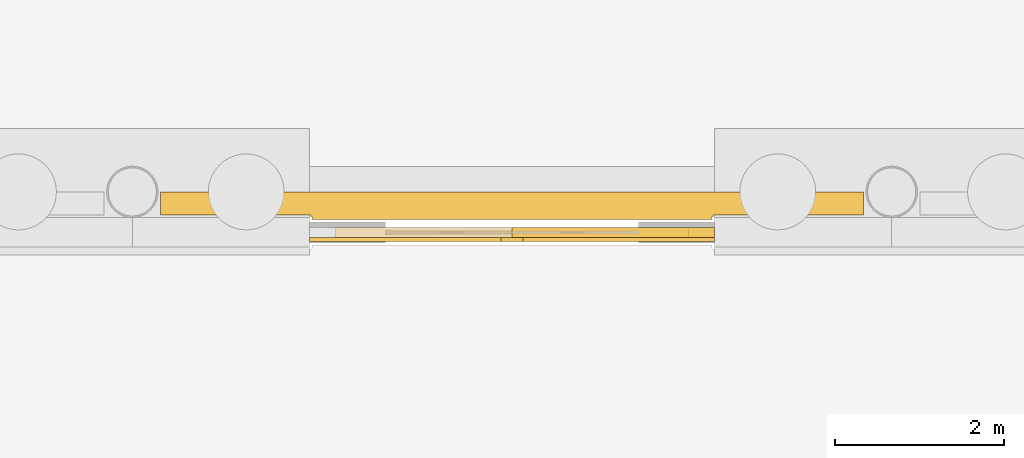
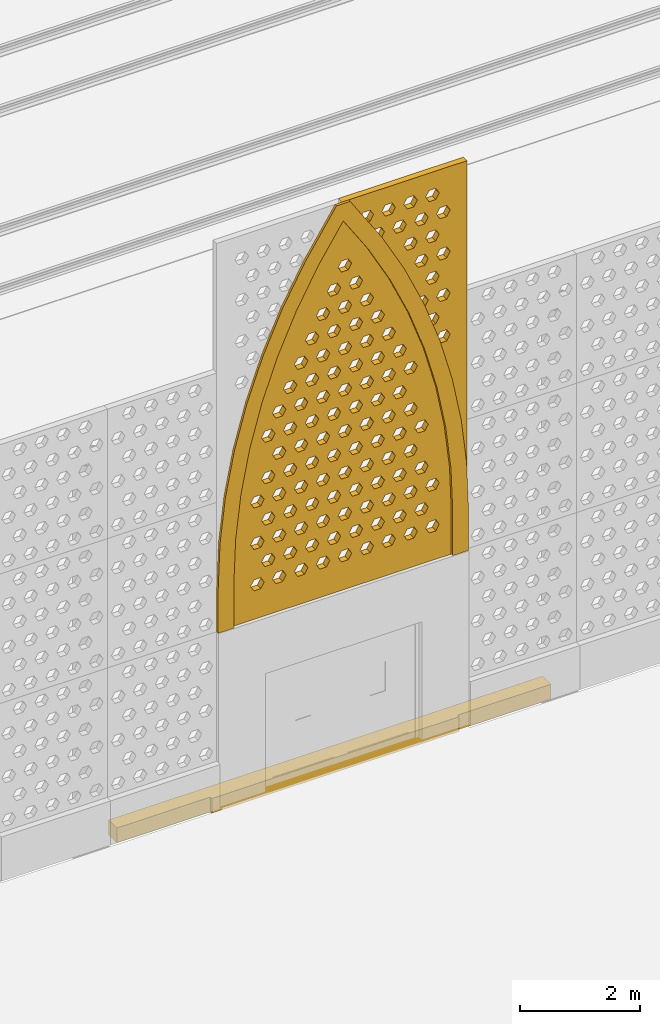
# One storey, part 195 of 250: 2 coverings, 2 shading devices.
"""IFC4 building model written with IfcOpenShell, lengths in metres."""

from ifc_helpers import new_model, si_unit, direction, frame, origin, place, context, subcontext, project, spatial, polyline, outline, extrude, material, layer, layer_set, type_object, element, save


model = new_model("IFC4")

# Units and contexts
model_context = context("Model", 3, precision=1e-05, world=origin(), true_north=direction((0.0, 1.0)))
body_context = subcontext(model_context, "Body", "Model", "MODEL_VIEW")
ifc_project = project(units=[si_unit("LENGTHUNIT", "METRE"), si_unit("AREAUNIT", "SQUARE_METRE"), si_unit("VOLUMEUNIT", "CUBIC_METRE"), si_unit("PLANEANGLEUNIT", "RADIAN"), si_unit("MASSUNIT", "GRAM", prefix="KILO")], contexts=[model_context])

# Site, building, storey
site_placement = place(None, origin())
site = spatial("IfcSite", under=ifc_project, at=site_placement, CompositionType="ELEMENT")
building_placement = place(site_placement, origin())
building = spatial("IfcBuilding", under=site, at=building_placement, Name="Baradari Gate Terminus", CompositionType="ELEMENT")
storey_placement = place(building_placement, origin())
storey = spatial("IfcBuildingStorey", under=building, at=storey_placement, Name="L00", CompositionType="ELEMENT", Elevation=0.0)

# Covering
ifc_material_1 = material(Name="Laterite masonry", Category="masonry")
ifc_layer_1 = layer(ifc_material_1, 0.050048828125)
ifc_layer_set_1 = layer_set([ifc_layer_1], Name="Laterite masonry")
covering_type_1 = type_object("IfcCoveringType", Name="Arch ring RG-1 50", PredefinedType="CLADDING", material=ifc_layer_set_1)
covering_1_placement = place(storey_placement, frame((182.10009765625, 35.43505859375, 3.52490234375), z_axis=(0.0, 0.0, 1.0), x_axis=(1.0, 0.0, 0.0)))
element("IfcCovering", 1, at=covering_1_placement, inside=storey, type_object=covering_type_1, Name="Arch ring RG-1 SC03b", PredefinedType="CLADDING", context=body_context, shape_type="SweptSolid", body=[
    extrude(outline(polyline([(0.034423828125, 1.8046875), (0.0, 0.90576171875), (0.0, 0.0), (0.300048828125, 0.0), (0.300048828125, 0.900146484375), (0.333740234375, 1.78173828125), (0.435302734375, 2.658203125), (0.603515625, 3.5244140625), (0.837646484375, 4.375), (1.13623046875, 5.205322265625), (1.49755859375, 6.01025390625), (1.919677734375, 6.784912109375), (2.39990234375, 7.525146484375), (2.880126953125, 6.784912109375), (3.30224609375, 6.01025390625), (3.663818359375, 5.205322265625), (3.96240234375, 4.375), (4.196533203125, 3.5244140625), (4.36474609375, 2.658203125), (4.466064453125, 1.78173828125), (4.5, 0.900146484375), (4.5, 0.0), (4.800048828125, 0.0), (4.800048828125, 0.90576171875), (4.765380859375, 1.8046875), (4.66162109375, 2.7041015625), (4.48876953125, 3.5927734375), (4.24853515625, 4.4658203125), (3.942138671875, 5.317626953125), (3.5712890625, 6.1435546875), (3.13818359375, 6.9384765625), (2.530517578125, 7.875), (2.26953125, 7.875), (1.661865234375, 6.9384765625), (1.228759765625, 6.1435546875), (0.85791015625, 5.317626953125), (0.55126953125, 4.4658203125), (0.31103515625, 3.5927734375), (0.138427734375, 2.7041015625), (0.034423828125, 1.8046875)])), frame((0.0, 0.02490234375, 0.0), z_axis=(0.0, -1.0, 0.0), x_axis=(1.0, 0.0, 0.0)), (0.0, 0.0, 1.0), 0.050048828125),
])

# Shading devices
ifc_material_2 = material(Name="Concrete C50/60 precast", Category="concrete")
ifc_layer_2 = layer(ifc_material_2, 0.1201171875)
ifc_layer_set_2 = layer_set([ifc_layer_2], Name="Concrete C50/60 precast")
shading_device_type = type_object("IfcShadingDeviceType", Name="Jali screen panel JS-2 120", PredefinedType="SHUTTER", material=ifc_layer_set_2)
shading_device_1_placement = place(storey_placement, frame((182.39990234375, 35.52001953125, 3.52490234375), z_axis=(0.0, 0.0, 1.0), x_axis=(1.0, 0.0, 0.0)))
element("IfcShadingDevice", 2, at=shading_device_1_placement, inside=storey, type_object=shading_device_type, Name="Jali screen panel JS-2 SC03b arch A", PredefinedType="SHUTTER", context=body_context, shape_type="SweptSolid", body=[
    extrude(outline(polyline([(0.0, 0.900146484375), (0.0, 0.0), (4.199951171875, 0.0), (4.199951171875, 0.900146484375), (4.166259765625, 1.78173828125), (4.064697265625, 2.658203125), (3.896484375, 3.5244140625), (3.662353515625, 4.375), (3.36376953125, 5.205322265625), (3.00244140625, 6.01025390625), (2.580322265625, 6.784912109375), (2.10009765625, 7.525146484375), (1.619873046875, 6.784912109375), (1.19775390625, 6.01025390625), (0.836181640625, 5.205322265625), (0.53759765625, 4.375), (0.303466796875, 3.5244140625), (0.13525390625, 2.658203125), (0.033935546875, 1.78173828125), (0.0, 0.900146484375)]), holes=[polyline([(0.610107421875, 0.690185546875), (0.544921875, 0.57763671875), (0.4150390625, 0.57763671875), (0.35009765625, 0.690185546875), (0.4150390625, 0.802734375), (0.544921875, 0.802734375), (0.610107421875, 0.690185546875)]), polyline([(1.030029296875, 0.690185546875), (0.965087890625, 0.57763671875), (0.8349609375, 0.57763671875), (0.77001953125, 0.690185546875), (0.8349609375, 0.802734375), (0.965087890625, 0.802734375), (1.030029296875, 0.690185546875)]), polyline([(1.449951171875, 0.690185546875), (1.385009765625, 0.57763671875), (1.2548828125, 0.57763671875), (1.18994140625, 0.690185546875), (1.2548828125, 0.802734375), (1.385009765625, 0.802734375), (1.449951171875, 0.690185546875)]), polyline([(1.8701171875, 0.690185546875), (1.804931640625, 0.57763671875), (1.675048828125, 0.57763671875), (1.610107421875, 0.690185546875), (1.675048828125, 0.802734375), (1.804931640625, 0.802734375), (1.8701171875, 0.690185546875)]), polyline([(2.2900390625, 0.690185546875), (2.22509765625, 0.57763671875), (2.094970703125, 0.57763671875), (2.030029296875, 0.690185546875), (2.094970703125, 0.802734375), (2.22509765625, 0.802734375), (2.2900390625, 0.690185546875)]), polyline([(2.7099609375, 0.690185546875), (2.64501953125, 0.57763671875), (2.514892578125, 0.57763671875), (2.449951171875, 0.690185546875), (2.514892578125, 0.802734375), (2.64501953125, 0.802734375), (2.7099609375, 0.690185546875)]), polyline([(3.1298828125, 0.690185546875), (3.06494140625, 0.57763671875), (2.93505859375, 0.57763671875), (2.8701171875, 0.690185546875), (2.93505859375, 0.802734375), (3.06494140625, 0.802734375), (3.1298828125, 0.690185546875)]), polyline([(3.550048828125, 0.690185546875), (3.485107421875, 0.57763671875), (3.35498046875, 0.57763671875), (3.2900390625, 0.690185546875), (3.35498046875, 0.802734375), (3.485107421875, 0.802734375), (3.550048828125, 0.690185546875)]), polyline([(3.969970703125, 0.690185546875), (3.905029296875, 0.57763671875), (3.77490234375, 0.57763671875), (3.7099609375, 0.690185546875), (3.77490234375, 0.802734375), (3.905029296875, 0.802734375), (3.969970703125, 0.690185546875)]), polyline([(0.820068359375, 1.110107421875), (0.7548828125, 0.99755859375), (0.625, 0.99755859375), (0.56005859375, 1.110107421875), (0.625, 1.22265625), (0.7548828125, 1.22265625), (0.820068359375, 1.110107421875)]), polyline([(1.239990234375, 1.110107421875), (1.175048828125, 0.99755859375), (1.044921875, 0.99755859375), (0.97998046875, 1.110107421875), (1.044921875, 1.22265625), (1.175048828125, 1.22265625), (1.239990234375, 1.110107421875)]), polyline([(1.659912109375, 1.110107421875), (1.594970703125, 0.99755859375), (1.465087890625, 0.99755859375), (1.39990234375, 1.110107421875), (1.465087890625, 1.22265625), (1.594970703125, 1.22265625), (1.659912109375, 1.110107421875)]), polyline([(2.080078125, 1.110107421875), (2.014892578125, 0.99755859375), (1.885009765625, 0.99755859375), (1.820068359375, 1.110107421875), (1.885009765625, 1.22265625), (2.014892578125, 1.22265625), (2.080078125, 1.110107421875)]), polyline([(2.5, 1.110107421875), (2.43505859375, 0.99755859375), (2.304931640625, 0.99755859375), (2.239990234375, 1.110107421875), (2.304931640625, 1.22265625), (2.43505859375, 1.22265625), (2.5, 1.110107421875)]), polyline([(2.919921875, 1.110107421875), (2.85498046875, 0.99755859375), (2.72509765625, 0.99755859375), (2.659912109375, 1.110107421875), (2.72509765625, 1.22265625), (2.85498046875, 1.22265625), (2.919921875, 1.110107421875)]), polyline([(3.340087890625, 1.110107421875), (3.27490234375, 0.99755859375), (3.14501953125, 0.99755859375), (3.080078125, 1.110107421875), (3.14501953125, 1.22265625), (3.27490234375, 1.22265625), (3.340087890625, 1.110107421875)]), polyline([(3.760009765625, 1.110107421875), (3.695068359375, 0.99755859375), (3.56494140625, 0.99755859375), (3.5, 1.110107421875), (3.56494140625, 1.22265625), (3.695068359375, 1.22265625), (3.760009765625, 1.110107421875)]), polyline([(0.610107421875, 1.530029296875), (0.544921875, 1.41748046875), (0.4150390625, 1.41748046875), (0.35009765625, 1.530029296875), (0.4150390625, 1.642578125), (0.544921875, 1.642578125), (0.610107421875, 1.530029296875)]), polyline([(1.030029296875, 1.530029296875), (0.965087890625, 1.41748046875), (0.8349609375, 1.41748046875), (0.77001953125, 1.530029296875), (0.8349609375, 1.642578125), (0.965087890625, 1.642578125), (1.030029296875, 1.530029296875)]), polyline([(1.449951171875, 1.530029296875), (1.385009765625, 1.41748046875), (1.2548828125, 1.41748046875), (1.18994140625, 1.530029296875), (1.2548828125, 1.642578125), (1.385009765625, 1.642578125), (1.449951171875, 1.530029296875)]), polyline([(1.8701171875, 1.530029296875), (1.804931640625, 1.41748046875), (1.675048828125, 1.41748046875), (1.610107421875, 1.530029296875), (1.675048828125, 1.642578125), (1.804931640625, 1.642578125), (1.8701171875, 1.530029296875)]), polyline([(2.2900390625, 1.530029296875), (2.22509765625, 1.41748046875), (2.094970703125, 1.41748046875), (2.030029296875, 1.530029296875), (2.094970703125, 1.642578125), (2.22509765625, 1.642578125), (2.2900390625, 1.530029296875)]), polyline([(2.7099609375, 1.530029296875), (2.64501953125, 1.41748046875), (2.514892578125, 1.41748046875), (2.449951171875, 1.530029296875), (2.514892578125, 1.642578125), (2.64501953125, 1.642578125), (2.7099609375, 1.530029296875)]), polyline([(3.1298828125, 1.530029296875), (3.06494140625, 1.41748046875), (2.93505859375, 1.41748046875), (2.8701171875, 1.530029296875), (2.93505859375, 1.642578125), (3.06494140625, 1.642578125), (3.1298828125, 1.530029296875)]), polyline([(3.550048828125, 1.530029296875), (3.485107421875, 1.41748046875), (3.35498046875, 1.41748046875), (3.2900390625, 1.530029296875), (3.35498046875, 1.642578125), (3.485107421875, 1.642578125), (3.550048828125, 1.530029296875)]), polyline([(3.969970703125, 1.530029296875), (3.905029296875, 1.41748046875), (3.77490234375, 1.41748046875), (3.7099609375, 1.530029296875), (3.77490234375, 1.642578125), (3.905029296875, 1.642578125), (3.969970703125, 1.530029296875)]), polyline([(0.820068359375, 1.9501953125), (0.7548828125, 1.83740234375), (0.625, 1.83740234375), (0.56005859375, 1.9501953125), (0.625, 2.062744140625), (0.7548828125, 2.062744140625), (0.820068359375, 1.9501953125)]), polyline([(1.239990234375, 1.9501953125), (1.175048828125, 1.83740234375), (1.044921875, 1.83740234375), (0.97998046875, 1.9501953125), (1.044921875, 2.062744140625), (1.175048828125, 2.062744140625), (1.239990234375, 1.9501953125)]), polyline([(1.659912109375, 1.9501953125), (1.594970703125, 1.83740234375), (1.465087890625, 1.83740234375), (1.39990234375, 1.9501953125), (1.465087890625, 2.062744140625), (1.594970703125, 2.062744140625), (1.659912109375, 1.9501953125)]), polyline([(2.080078125, 1.9501953125), (2.014892578125, 1.83740234375), (1.885009765625, 1.83740234375), (1.820068359375, 1.9501953125), (1.885009765625, 2.062744140625), (2.014892578125, 2.062744140625), (2.080078125, 1.9501953125)]), polyline([(2.5, 1.9501953125), (2.43505859375, 1.83740234375), (2.304931640625, 1.83740234375), (2.239990234375, 1.9501953125), (2.304931640625, 2.062744140625), (2.43505859375, 2.062744140625), (2.5, 1.9501953125)]), polyline([(2.919921875, 1.9501953125), (2.85498046875, 1.83740234375), (2.72509765625, 1.83740234375), (2.659912109375, 1.9501953125), (2.72509765625, 2.062744140625), (2.85498046875, 2.062744140625), (2.919921875, 1.9501953125)]), polyline([(3.340087890625, 1.9501953125), (3.27490234375, 1.83740234375), (3.14501953125, 1.83740234375), (3.080078125, 1.9501953125), (3.14501953125, 2.062744140625), (3.27490234375, 2.062744140625), (3.340087890625, 1.9501953125)]), polyline([(3.760009765625, 1.9501953125), (3.695068359375, 1.83740234375), (3.56494140625, 1.83740234375), (3.5, 1.9501953125), (3.56494140625, 2.062744140625), (3.695068359375, 2.062744140625), (3.760009765625, 1.9501953125)]), polyline([(0.610107421875, 2.3701171875), (0.544921875, 2.257568359375), (0.4150390625, 2.257568359375), (0.35009765625, 2.3701171875), (0.4150390625, 2.482666015625), (0.544921875, 2.482666015625), (0.610107421875, 2.3701171875)]), polyline([(1.030029296875, 2.3701171875), (0.965087890625, 2.257568359375), (0.8349609375, 2.257568359375), (0.77001953125, 2.3701171875), (0.8349609375, 2.482666015625), (0.965087890625, 2.482666015625), (1.030029296875, 2.3701171875)]), polyline([(1.449951171875, 2.3701171875), (1.385009765625, 2.257568359375), (1.2548828125, 2.257568359375), (1.18994140625, 2.3701171875), (1.2548828125, 2.482666015625), (1.385009765625, 2.482666015625), (1.449951171875, 2.3701171875)]), polyline([(1.8701171875, 2.3701171875), (1.804931640625, 2.257568359375), (1.675048828125, 2.257568359375), (1.610107421875, 2.3701171875), (1.675048828125, 2.482666015625), (1.804931640625, 2.482666015625), (1.8701171875, 2.3701171875)]), polyline([(2.2900390625, 2.3701171875), (2.22509765625, 2.257568359375), (2.094970703125, 2.257568359375), (2.030029296875, 2.3701171875), (2.094970703125, 2.482666015625), (2.22509765625, 2.482666015625), (2.2900390625, 2.3701171875)]), polyline([(2.7099609375, 2.3701171875), (2.64501953125, 2.257568359375), (2.514892578125, 2.257568359375), (2.449951171875, 2.3701171875), (2.514892578125, 2.482666015625), (2.64501953125, 2.482666015625), (2.7099609375, 2.3701171875)]), polyline([(3.1298828125, 2.3701171875), (3.06494140625, 2.257568359375), (2.93505859375, 2.257568359375), (2.8701171875, 2.3701171875), (2.93505859375, 2.482666015625), (3.06494140625, 2.482666015625), (3.1298828125, 2.3701171875)]), polyline([(3.550048828125, 2.3701171875), (3.485107421875, 2.257568359375), (3.35498046875, 2.257568359375), (3.2900390625, 2.3701171875), (3.35498046875, 2.482666015625), (3.485107421875, 2.482666015625), (3.550048828125, 2.3701171875)]), polyline([(0.820068359375, 2.7900390625), (0.7548828125, 2.677490234375), (0.625, 2.677490234375), (0.56005859375, 2.7900390625), (0.625, 2.902587890625), (0.7548828125, 2.902587890625), (0.820068359375, 2.7900390625)]), polyline([(1.239990234375, 2.7900390625), (1.175048828125, 2.677490234375), (1.044921875, 2.677490234375), (0.97998046875, 2.7900390625), (1.044921875, 2.902587890625), (1.175048828125, 2.902587890625), (1.239990234375, 2.7900390625)]), polyline([(1.659912109375, 2.7900390625), (1.594970703125, 2.677490234375), (1.465087890625, 2.677490234375), (1.39990234375, 2.7900390625), (1.465087890625, 2.902587890625), (1.594970703125, 2.902587890625), (1.659912109375, 2.7900390625)]), polyline([(2.080078125, 2.7900390625), (2.014892578125, 2.677490234375), (1.885009765625, 2.677490234375), (1.820068359375, 2.7900390625), (1.885009765625, 2.902587890625), (2.014892578125, 2.902587890625), (2.080078125, 2.7900390625)]), polyline([(2.5, 2.7900390625), (2.43505859375, 2.677490234375), (2.304931640625, 2.677490234375), (2.239990234375, 2.7900390625), (2.304931640625, 2.902587890625), (2.43505859375, 2.902587890625), (2.5, 2.7900390625)]), polyline([(2.919921875, 2.7900390625), (2.85498046875, 2.677490234375), (2.72509765625, 2.677490234375), (2.659912109375, 2.7900390625), (2.72509765625, 2.902587890625), (2.85498046875, 2.902587890625), (2.919921875, 2.7900390625)]), polyline([(3.340087890625, 2.7900390625), (3.27490234375, 2.677490234375), (3.14501953125, 2.677490234375), (3.080078125, 2.7900390625), (3.14501953125, 2.902587890625), (3.27490234375, 2.902587890625), (3.340087890625, 2.7900390625)]), polyline([(3.760009765625, 2.7900390625), (3.695068359375, 2.677490234375), (3.56494140625, 2.677490234375), (3.5, 2.7900390625), (3.56494140625, 2.902587890625), (3.695068359375, 2.902587890625), (3.760009765625, 2.7900390625)]), polyline([(1.030029296875, 3.210205078125), (0.965087890625, 3.097412109375), (0.8349609375, 3.097412109375), (0.77001953125, 3.210205078125), (0.8349609375, 3.32275390625), (0.965087890625, 3.32275390625), (1.030029296875, 3.210205078125)]), polyline([(1.449951171875, 3.210205078125), (1.385009765625, 3.097412109375), (1.2548828125, 3.097412109375), (1.18994140625, 3.210205078125), (1.2548828125, 3.32275390625), (1.385009765625, 3.32275390625), (1.449951171875, 3.210205078125)]), polyline([(1.8701171875, 3.210205078125), (1.804931640625, 3.097412109375), (1.675048828125, 3.097412109375), (1.610107421875, 3.210205078125), (1.675048828125, 3.32275390625), (1.804931640625, 3.32275390625), (1.8701171875, 3.210205078125)]), polyline([(2.2900390625, 3.210205078125), (2.22509765625, 3.097412109375), (2.094970703125, 3.097412109375), (2.030029296875, 3.210205078125), (2.094970703125, 3.32275390625), (2.22509765625, 3.32275390625), (2.2900390625, 3.210205078125)]), polyline([(2.7099609375, 3.210205078125), (2.64501953125, 3.097412109375), (2.514892578125, 3.097412109375), (2.449951171875, 3.210205078125), (2.514892578125, 3.32275390625), (2.64501953125, 3.32275390625), (2.7099609375, 3.210205078125)]), polyline([(3.1298828125, 3.210205078125), (3.06494140625, 3.097412109375), (2.93505859375, 3.097412109375), (2.8701171875, 3.210205078125), (2.93505859375, 3.32275390625), (3.06494140625, 3.32275390625), (3.1298828125, 3.210205078125)]), polyline([(3.550048828125, 3.210205078125), (3.485107421875, 3.097412109375), (3.35498046875, 3.097412109375), (3.2900390625, 3.210205078125), (3.35498046875, 3.32275390625), (3.485107421875, 3.32275390625), (3.550048828125, 3.210205078125)]), polyline([(0.820068359375, 3.630126953125), (0.7548828125, 3.517578125), (0.625, 3.517578125), (0.56005859375, 3.630126953125), (0.625, 3.74267578125), (0.7548828125, 3.74267578125), (0.820068359375, 3.630126953125)]), polyline([(1.239990234375, 3.630126953125), (1.175048828125, 3.517578125), (1.044921875, 3.517578125), (0.97998046875, 3.630126953125), (1.044921875, 3.74267578125), (1.175048828125, 3.74267578125), (1.239990234375, 3.630126953125)]), polyline([(1.659912109375, 3.630126953125), (1.594970703125, 3.517578125), (1.465087890625, 3.517578125), (1.39990234375, 3.630126953125), (1.465087890625, 3.74267578125), (1.594970703125, 3.74267578125), (1.659912109375, 3.630126953125)]), polyline([(2.080078125, 3.630126953125), (2.014892578125, 3.517578125), (1.885009765625, 3.517578125), (1.820068359375, 3.630126953125), (1.885009765625, 3.74267578125), (2.014892578125, 3.74267578125), (2.080078125, 3.630126953125)]), polyline([(2.5, 3.630126953125), (2.43505859375, 3.517578125), (2.304931640625, 3.517578125), (2.239990234375, 3.630126953125), (2.304931640625, 3.74267578125), (2.43505859375, 3.74267578125), (2.5, 3.630126953125)]), polyline([(2.919921875, 3.630126953125), (2.85498046875, 3.517578125), (2.72509765625, 3.517578125), (2.659912109375, 3.630126953125), (2.72509765625, 3.74267578125), (2.85498046875, 3.74267578125), (2.919921875, 3.630126953125)]), polyline([(3.340087890625, 3.630126953125), (3.27490234375, 3.517578125), (3.14501953125, 3.517578125), (3.080078125, 3.630126953125), (3.14501953125, 3.74267578125), (3.27490234375, 3.74267578125), (3.340087890625, 3.630126953125)]), polyline([(1.030029296875, 4.050048828125), (0.965087890625, 3.9375), (0.8349609375, 3.9375), (0.77001953125, 4.050048828125), (0.8349609375, 4.16259765625), (0.965087890625, 4.16259765625), (1.030029296875, 4.050048828125)]), polyline([(1.449951171875, 4.050048828125), (1.385009765625, 3.9375), (1.2548828125, 3.9375), (1.18994140625, 4.050048828125), (1.2548828125, 4.16259765625), (1.385009765625, 4.16259765625), (1.449951171875, 4.050048828125)]), polyline([(1.8701171875, 4.050048828125), (1.804931640625, 3.9375), (1.675048828125, 3.9375), (1.610107421875, 4.050048828125), (1.675048828125, 4.16259765625), (1.804931640625, 4.16259765625), (1.8701171875, 4.050048828125)]), polyline([(2.2900390625, 4.050048828125), (2.22509765625, 3.9375), (2.094970703125, 3.9375), (2.030029296875, 4.050048828125), (2.094970703125, 4.16259765625), (2.22509765625, 4.16259765625), (2.2900390625, 4.050048828125)]), polyline([(2.7099609375, 4.050048828125), (2.64501953125, 3.9375), (2.514892578125, 3.9375), (2.449951171875, 4.050048828125), (2.514892578125, 4.16259765625), (2.64501953125, 4.16259765625), (2.7099609375, 4.050048828125)]), polyline([(3.1298828125, 4.050048828125), (3.06494140625, 3.9375), (2.93505859375, 3.9375), (2.8701171875, 4.050048828125), (2.93505859375, 4.16259765625), (3.06494140625, 4.16259765625), (3.1298828125, 4.050048828125)]), polyline([(3.550048828125, 4.050048828125), (3.485107421875, 3.9375), (3.35498046875, 3.9375), (3.2900390625, 4.050048828125), (3.35498046875, 4.16259765625), (3.485107421875, 4.16259765625), (3.550048828125, 4.050048828125)]), polyline([(1.239990234375, 4.47021484375), (1.175048828125, 4.357421875), (1.044921875, 4.357421875), (0.97998046875, 4.47021484375), (1.044921875, 4.582763671875), (1.175048828125, 4.582763671875), (1.239990234375, 4.47021484375)]), polyline([(1.659912109375, 4.47021484375), (1.594970703125, 4.357421875), (1.465087890625, 4.357421875), (1.39990234375, 4.47021484375), (1.465087890625, 4.582763671875), (1.594970703125, 4.582763671875), (1.659912109375, 4.47021484375)]), polyline([(2.080078125, 4.47021484375), (2.014892578125, 4.357421875), (1.885009765625, 4.357421875), (1.820068359375, 4.47021484375), (1.885009765625, 4.582763671875), (2.014892578125, 4.582763671875), (2.080078125, 4.47021484375)]), polyline([(2.5, 4.47021484375), (2.43505859375, 4.357421875), (2.304931640625, 4.357421875), (2.239990234375, 4.47021484375), (2.304931640625, 4.582763671875), (2.43505859375, 4.582763671875), (2.5, 4.47021484375)]), polyline([(2.919921875, 4.47021484375), (2.85498046875, 4.357421875), (2.72509765625, 4.357421875), (2.659912109375, 4.47021484375), (2.72509765625, 4.582763671875), (2.85498046875, 4.582763671875), (2.919921875, 4.47021484375)]), polyline([(3.340087890625, 4.47021484375), (3.27490234375, 4.357421875), (3.14501953125, 4.357421875), (3.080078125, 4.47021484375), (3.14501953125, 4.582763671875), (3.27490234375, 4.582763671875), (3.340087890625, 4.47021484375)]), polyline([(1.449951171875, 4.89013671875), (1.385009765625, 4.777587890625), (1.2548828125, 4.777587890625), (1.18994140625, 4.89013671875), (1.2548828125, 5.002685546875), (1.385009765625, 5.002685546875), (1.449951171875, 4.89013671875)]), polyline([(1.8701171875, 4.89013671875), (1.804931640625, 4.777587890625), (1.675048828125, 4.777587890625), (1.610107421875, 4.89013671875), (1.675048828125, 5.002685546875), (1.804931640625, 5.002685546875), (1.8701171875, 4.89013671875)]), polyline([(2.2900390625, 4.89013671875), (2.22509765625, 4.777587890625), (2.094970703125, 4.777587890625), (2.030029296875, 4.89013671875), (2.094970703125, 5.002685546875), (2.22509765625, 5.002685546875), (2.2900390625, 4.89013671875)]), polyline([(2.7099609375, 4.89013671875), (2.64501953125, 4.777587890625), (2.514892578125, 4.777587890625), (2.449951171875, 4.89013671875), (2.514892578125, 5.002685546875), (2.64501953125, 5.002685546875), (2.7099609375, 4.89013671875)]), polyline([(3.1298828125, 4.89013671875), (3.06494140625, 4.777587890625), (2.93505859375, 4.777587890625), (2.8701171875, 4.89013671875), (2.93505859375, 5.002685546875), (3.06494140625, 5.002685546875), (3.1298828125, 4.89013671875)]), polyline([(1.659912109375, 5.31005859375), (1.594970703125, 5.197509765625), (1.465087890625, 5.197509765625), (1.39990234375, 5.31005859375), (1.465087890625, 5.422607421875), (1.594970703125, 5.422607421875), (1.659912109375, 5.31005859375)]), polyline([(2.080078125, 5.31005859375), (2.014892578125, 5.197509765625), (1.885009765625, 5.197509765625), (1.820068359375, 5.31005859375), (1.885009765625, 5.422607421875), (2.014892578125, 5.422607421875), (2.080078125, 5.31005859375)]), polyline([(2.5, 5.31005859375), (2.43505859375, 5.197509765625), (2.304931640625, 5.197509765625), (2.239990234375, 5.31005859375), (2.304931640625, 5.422607421875), (2.43505859375, 5.422607421875), (2.5, 5.31005859375)]), polyline([(2.919921875, 5.31005859375), (2.85498046875, 5.197509765625), (2.72509765625, 5.197509765625), (2.659912109375, 5.31005859375), (2.72509765625, 5.422607421875), (2.85498046875, 5.422607421875), (2.919921875, 5.31005859375)]), polyline([(1.8701171875, 5.72998046875), (1.804931640625, 5.617431640625), (1.675048828125, 5.617431640625), (1.610107421875, 5.72998046875), (1.675048828125, 5.8427734375), (1.804931640625, 5.8427734375), (1.8701171875, 5.72998046875)]), polyline([(2.2900390625, 5.72998046875), (2.22509765625, 5.617431640625), (2.094970703125, 5.617431640625), (2.030029296875, 5.72998046875), (2.094970703125, 5.8427734375), (2.22509765625, 5.8427734375), (2.2900390625, 5.72998046875)]), polyline([(2.7099609375, 5.72998046875), (2.64501953125, 5.617431640625), (2.514892578125, 5.617431640625), (2.449951171875, 5.72998046875), (2.514892578125, 5.8427734375), (2.64501953125, 5.8427734375), (2.7099609375, 5.72998046875)]), polyline([(2.080078125, 6.150146484375), (2.014892578125, 6.03759765625), (1.885009765625, 6.03759765625), (1.820068359375, 6.150146484375), (1.885009765625, 6.2626953125), (2.014892578125, 6.2626953125), (2.080078125, 6.150146484375)]), polyline([(2.5, 6.150146484375), (2.43505859375, 6.03759765625), (2.304931640625, 6.03759765625), (2.239990234375, 6.150146484375), (2.304931640625, 6.2626953125), (2.43505859375, 6.2626953125), (2.5, 6.150146484375)]), polyline([(2.2900390625, 6.570068359375), (2.22509765625, 6.45751953125), (2.094970703125, 6.45751953125), (2.030029296875, 6.570068359375), (2.094970703125, 6.6826171875), (2.22509765625, 6.6826171875), (2.2900390625, 6.570068359375)])]), frame((0.0, 0.06005859375, 0.0), z_axis=(0.0, -1.0, 0.0), x_axis=(1.0, 0.0, 0.0)), (0.0, 0.0, 1.0), 0.1201171875),
])
shading_device_2_placement = place(storey_placement, frame((184.5, 35.52001953125, 3.52490234375), z_axis=(0.0, 0.0, 1.0), x_axis=(1.0, 0.0, 0.0)))
element("IfcShadingDevice", 3, at=shading_device_2_placement, inside=storey, type_object=shading_device_type, Name="Jali screen panel JS-2 SC03b arch R1", PredefinedType="SHUTTER", context=body_context, shape_type="SweptSolid", body=[
    extrude(outline(polyline([(0.0, 7.875), (0.0, 7.525146484375), (0.480224609375, 6.784912109375), (0.90234375, 6.01025390625), (1.263671875, 5.205322265625), (1.5625, 4.375), (1.796630859375, 3.5244140625), (1.96484375, 2.658203125), (2.066162109375, 1.78173828125), (2.10009765625, 0.900146484375), (2.10009765625, 0.0), (2.39990234375, 0.0), (2.39990234375, 7.875), (0.0, 7.875)]), holes=[polyline([(2.080078125, 4.47021484375), (2.014892578125, 4.357421875), (1.885009765625, 4.357421875), (1.820068359375, 4.47021484375), (1.885009765625, 4.582763671875), (2.014892578125, 4.582763671875), (2.080078125, 4.47021484375)]), polyline([(1.8701171875, 4.89013671875), (1.804931640625, 4.777587890625), (1.675048828125, 4.777587890625), (1.610107421875, 4.89013671875), (1.675048828125, 5.002685546875), (1.804931640625, 5.002685546875), (1.8701171875, 4.89013671875)]), polyline([(1.659912109375, 5.31005859375), (1.594970703125, 5.197509765625), (1.465087890625, 5.197509765625), (1.39990234375, 5.31005859375), (1.465087890625, 5.422607421875), (1.594970703125, 5.422607421875), (1.659912109375, 5.31005859375)]), polyline([(2.080078125, 5.31005859375), (2.014892578125, 5.197509765625), (1.885009765625, 5.197509765625), (1.820068359375, 5.31005859375), (1.885009765625, 5.422607421875), (2.014892578125, 5.422607421875), (2.080078125, 5.31005859375)]), polyline([(1.8701171875, 5.72998046875), (1.804931640625, 5.617431640625), (1.675048828125, 5.617431640625), (1.610107421875, 5.72998046875), (1.675048828125, 5.8427734375), (1.804931640625, 5.8427734375), (1.8701171875, 5.72998046875)]), polyline([(1.659912109375, 6.150146484375), (1.594970703125, 6.03759765625), (1.465087890625, 6.03759765625), (1.39990234375, 6.150146484375), (1.465087890625, 6.2626953125), (1.594970703125, 6.2626953125), (1.659912109375, 6.150146484375)]), polyline([(2.080078125, 6.150146484375), (2.014892578125, 6.03759765625), (1.885009765625, 6.03759765625), (1.820068359375, 6.150146484375), (1.885009765625, 6.2626953125), (2.014892578125, 6.2626953125), (2.080078125, 6.150146484375)]), polyline([(1.449951171875, 6.570068359375), (1.385009765625, 6.45751953125), (1.2548828125, 6.45751953125), (1.18994140625, 6.570068359375), (1.2548828125, 6.6826171875), (1.385009765625, 6.6826171875), (1.449951171875, 6.570068359375)]), polyline([(1.8701171875, 6.570068359375), (1.804931640625, 6.45751953125), (1.675048828125, 6.45751953125), (1.610107421875, 6.570068359375), (1.675048828125, 6.6826171875), (1.804931640625, 6.6826171875), (1.8701171875, 6.570068359375)]), polyline([(0.820068359375, 6.989990234375), (0.7548828125, 6.87744140625), (0.625, 6.87744140625), (0.56005859375, 6.989990234375), (0.625, 7.102783203125), (0.7548828125, 7.102783203125), (0.820068359375, 6.989990234375)]), polyline([(1.239990234375, 6.989990234375), (1.175048828125, 6.87744140625), (1.044921875, 6.87744140625), (0.97998046875, 6.989990234375), (1.044921875, 7.102783203125), (1.175048828125, 7.102783203125), (1.239990234375, 6.989990234375)]), polyline([(1.659912109375, 6.989990234375), (1.594970703125, 6.87744140625), (1.465087890625, 6.87744140625), (1.39990234375, 6.989990234375), (1.465087890625, 7.102783203125), (1.594970703125, 7.102783203125), (1.659912109375, 6.989990234375)]), polyline([(2.080078125, 6.989990234375), (2.014892578125, 6.87744140625), (1.885009765625, 6.87744140625), (1.820068359375, 6.989990234375), (1.885009765625, 7.102783203125), (2.014892578125, 7.102783203125), (2.080078125, 6.989990234375)]), polyline([(0.610107421875, 7.41015625), (0.544921875, 7.297607421875), (0.4150390625, 7.297607421875), (0.35009765625, 7.41015625), (0.4150390625, 7.522705078125), (0.544921875, 7.522705078125), (0.610107421875, 7.41015625)]), polyline([(1.030029296875, 7.41015625), (0.965087890625, 7.297607421875), (0.8349609375, 7.297607421875), (0.77001953125, 7.41015625), (0.8349609375, 7.522705078125), (0.965087890625, 7.522705078125), (1.030029296875, 7.41015625)]), polyline([(1.449951171875, 7.41015625), (1.385009765625, 7.297607421875), (1.2548828125, 7.297607421875), (1.18994140625, 7.41015625), (1.2548828125, 7.522705078125), (1.385009765625, 7.522705078125), (1.449951171875, 7.41015625)]), polyline([(1.8701171875, 7.41015625), (1.804931640625, 7.297607421875), (1.675048828125, 7.297607421875), (1.610107421875, 7.41015625), (1.675048828125, 7.522705078125), (1.804931640625, 7.522705078125), (1.8701171875, 7.41015625)])]), frame((0.0, 0.06005859375, 0.0), z_axis=(0.0, -1.0, 0.0), x_axis=(1.0, 0.0, 0.0)), (0.0, 0.0, 1.0), 0.1201171875),
])

# Covering
ifc_material_3 = material(Name="Planted lawn")
ifc_layer_3 = layer(ifc_material_3, 0.300048828125)
ifc_layer_set_3 = layer_set([ifc_layer_3], Name="Planted lawn")
covering_type_2 = type_object("IfcCoveringType", Name="Planted lawn bed LW-1 300", PredefinedType="USERDEFINED", material=ifc_layer_set_3)
covering_2_placement = place(storey_placement, frame((0.0, 0.0, -0.300048828125)))
element("IfcCovering", 4, at=covering_2_placement, inside=storey, type_object=covering_type_2, Name="Planted lawn 6", ObjectType="LAWN", PredefinedType="USERDEFINED", context=body_context, shape_type="SweptSolid", body=[
    extrude(outline(polyline([(182.1142578125, 35.721435546875), (182.11669921875, 35.719970703125), (182.119140625, 35.71826171875), (182.12109375, 35.71630859375), (182.123291015625, 35.714111328125), (182.125, 35.711669921875), (182.12646484375, 35.709228515625), (182.127685546875, 35.70654296875), (182.128662109375, 35.70361328125), (182.12939453125, 35.700927734375), (182.1298828125, 35.697998046875), (182.1298828125, 35.695068359375), (182.1298828125, 35.675048828125), (186.8701171875, 35.675048828125), (186.8701171875, 35.695068359375), (186.8701171875, 35.697998046875), (186.87060546875, 35.700927734375), (186.871337890625, 35.70361328125), (186.872314453125, 35.70654296875), (186.87353515625, 35.709228515625), (186.875, 35.711669921875), (186.876708984375, 35.714111328125), (186.87890625, 35.71630859375), (186.880859375, 35.71826171875), (186.88330078125, 35.719970703125), (186.8857421875, 35.721435546875), (186.888427734375, 35.72265625), (186.891357421875, 35.7236328125), (186.89404296875, 35.724365234375), (186.89697265625, 35.724853515625), (186.89990234375, 35.72509765625), (188.6650390625, 35.72509765625), (188.6650390625, 36.0), (180.3349609375, 36.0), (180.3349609375, 35.72509765625), (182.10009765625, 35.72509765625), (182.10302734375, 35.724853515625), (182.10595703125, 35.724365234375), (182.108642578125, 35.7236328125), (182.111572265625, 35.72265625), (182.1142578125, 35.721435546875)])), origin(), (0.0, 0.0, 1.0), 0.300048828125),
])

save(model, "model.ifc")
